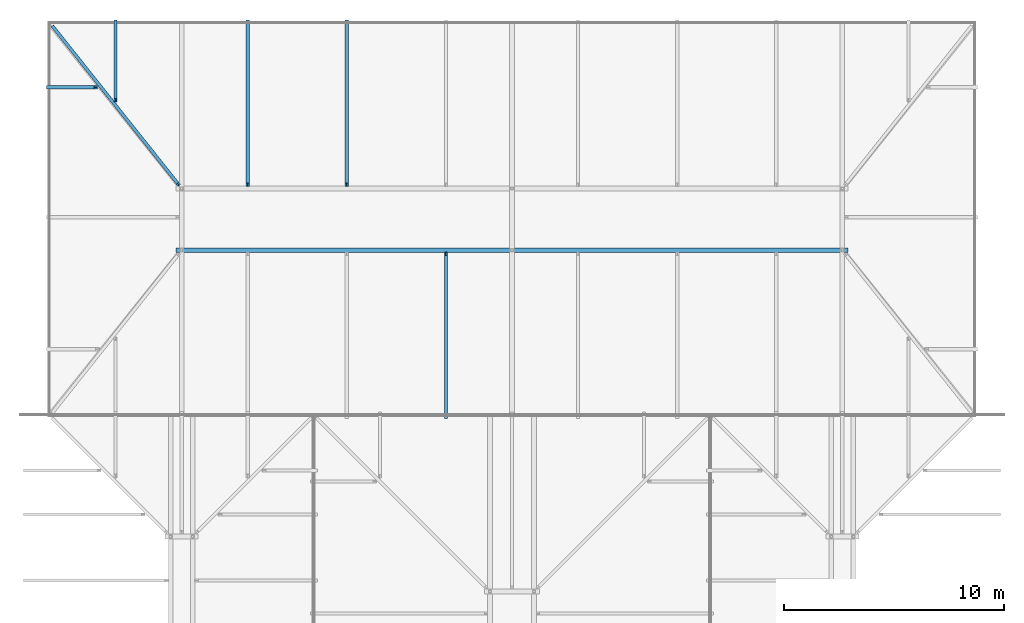
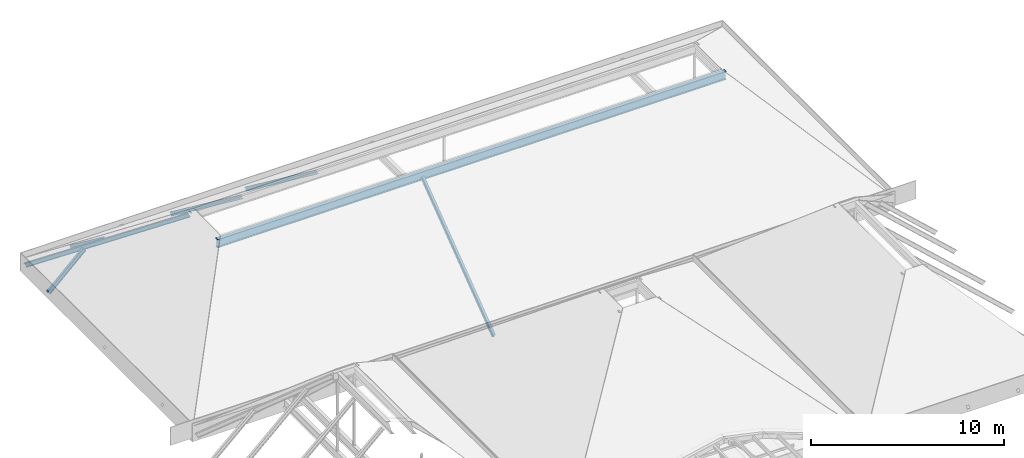
# One storey, part 27 of 57: 6 members, 1 beam.
"""IFC4 building model written with IfcOpenShell, lengths in metres."""

from ifc_helpers import new_model, si_unit, direction, frame, origin, origin_2d, place, context, subcontext, project, spatial, i_section, extrude, material, material_profile, profile_set, type_object, element, save


model = new_model("IFC4")

# Units and contexts
model_context = context("Model", 3, precision=1e-05, world=origin(), true_north=direction((0.0, 1.0)))
body_context = subcontext(model_context, "Body", "Model", "MODEL_VIEW")
ifc_project = project(units=[si_unit("LENGTHUNIT", "METRE"), si_unit("AREAUNIT", "SQUARE_METRE"), si_unit("VOLUMEUNIT", "CUBIC_METRE"), si_unit("PLANEANGLEUNIT", "RADIAN"), si_unit("MASSUNIT", "GRAM", prefix="KILO")], contexts=[model_context])

# Site, building, storey
site_placement = place(None, origin())
site = spatial("IfcSite", under=ifc_project, at=site_placement, CompositionType="ELEMENT")
building_placement = place(site_placement, origin())
building = spatial("IfcBuilding", under=site, at=building_placement, Name="Saffron Lane Theatres", CompositionType="ELEMENT")
storey_placement = place(building_placement, frame((0.0, 0.0, 28.0)))
storey = spatial("IfcBuildingStorey", under=building, at=storey_placement, Name="Upper Roof", CompositionType="ELEMENT", Elevation=28.0)

# Beam
ifc_material_1 = material(Name="Steel Grade 350", Category="steel")
ifc_material_profile_1 = material_profile(ifc_material_1, i_section(OverallWidth=0.208984375, OverallDepth=0.532958984375, WebThickness=0.01025390625, FlangeThickness=0.015625, FilletRadius=0.013916015625, at=origin_2d()))
ifc_profile_set_1 = profile_set([ifc_material_profile_1], Name="Steel Grade 350")
beam_type = type_object("IfcBeamType", Name="ST-CROWN GIRDER 530UB92.4", PredefinedType="BEAM", material=ifc_profile_set_1)
beam_placement = place(storey_placement, frame((17.75, 115.5, 5.693115234375), z_axis=(1.0, 0.0, 0.0), x_axis=(0.0, 1.0, 0.0)))
element("IfcBeam", 1, at=beam_placement, inside=storey, type_object=beam_type, Name="BK4-C1", PredefinedType="BEAM", context=body_context, shape_type="SweptSolid", body=[
    extrude(i_section(OverallWidth=0.208984375, OverallDepth=0.532958984375, WebThickness=0.01025390625, FlangeThickness=0.015625, FilletRadius=0.013916015625, at=origin_2d()), origin(), (0.0, 0.0, 1.0), 30.5),
])

# Members
ifc_material_2 = material(Name="Steel Grade 350", Category="steel")
ifc_material_profile_2 = material_profile(ifc_material_2, i_section(OverallWidth=0.14599609375, OverallDepth=0.251953125, WebThickness=0.006103515625, FlangeThickness=0.008544921875, FilletRadius=0.011962890625, at=origin_2d()))
ifc_profile_set_2 = profile_set([ifc_material_profile_2], Name="Steel Grade 350")
member_type_1 = type_object("IfcMemberType", Name="ST-HIP RAFTER 250UB31.4", PredefinedType="RAFTER", material=ifc_profile_set_2)
member_1_placement = place(storey_placement, frame((12.1630859375, 125.636962890625, 0.111083984375), z_axis=(0.532711175397, -0.66961694115, 0.517524835861), x_axis=(0.782566130455, 0.6225674674, 0.0)))
element("IfcMember", 2, at=member_1_placement, inside=storey, type_object=member_type_1, Name="BK4-H2", PredefinedType="RAFTER", context=body_context, shape_type="SweptSolid", body=[
    extrude(i_section(OverallWidth=0.14599609375, OverallDepth=0.251953125, WebThickness=0.006103515625, FlangeThickness=0.008544921875, FilletRadius=0.011962890625, at=origin_2d()), origin(), (0.0, 0.0, 1.0), 10.6748046875),
])
ifc_material_3 = material(Name="Steel Grade 350", Category="steel")
ifc_material_profile_3 = material_profile(ifc_material_3, i_section(OverallWidth=0.14599609375, OverallDepth=0.251953125, WebThickness=0.006103515625, FlangeThickness=0.008544921875, FilletRadius=0.011962890625, at=origin_2d()))
ifc_profile_set_3 = profile_set([ifc_material_profile_3], Name="Steel Grade 350")
member_type_2 = type_object("IfcMemberType", Name="ST-JACK RAFTER 250UB31.4", PredefinedType="RAFTER", material=ifc_profile_set_3)
member_2_placement = place(storey_placement, frame((15.0, 125.8759765625, 0.1005859375), z_axis=(0.0, -0.798269573299, 0.602300330687), x_axis=(1.0, 0.0, 0.0)))
element("IfcMember", 3, at=member_2_placement, inside=storey, type_object=member_type_2, Name="BK4-K2", PredefinedType="RAFTER", context=body_context, shape_type="SweptSolid", body=[
    extrude(i_section(OverallWidth=0.14599609375, OverallDepth=0.251953125, WebThickness=0.006103515625, FlangeThickness=0.008544921875, FilletRadius=0.011962890625, at=origin_2d()), origin(), (0.0, 0.0, 1.0), 4.461181640625),
])
for number, where, z_axis, x_axis, name in (
    (4, (21.0, 125.8759765625, 0.1005859375), (0.0, -0.798250727488, 0.602325307508), (1.0, 0.0, 0.0), "BK4-K4"),
    (5, (25.5, 125.8759765625, 0.1005859375), (0.0, -0.798250727488, 0.602325307508), (1.0, 0.0, 0.0), "BK4-K6"),
    (6, (30.0, 107.924072265625, 0.1005859375), (0.0, 0.798250727488, 0.602325307508), (-1.0, 0.0, 0.0), "BK4-K7"),
):
    element("IfcMember", number, at=place(storey_placement, frame(where, z_axis=z_axis, x_axis=x_axis)), inside=storey, type_object=member_type_2, Name=name, PredefinedType="RAFTER", context=body_context, shape_type="SweptSolid", body=[
        extrude(i_section(OverallWidth=0.14599609375, OverallDepth=0.251953125, WebThickness=0.006103515625, FlangeThickness=0.008544921875, FilletRadius=0.011962890625, at=origin_2d()), origin(), (0.0, 0.0, 1.0), 9.279541015625),
    ])
member_3_placement = place(storey_placement, frame((11.958984375, 122.89990234375, 0.091552734375), z_axis=(0.727448415077, 0.0, 0.686162373933), x_axis=(0.0, 1.0, 0.0)))
element("IfcMember", 7, at=member_3_placement, inside=storey, type_object=member_type_2, Name="BK4-K21", PredefinedType="RAFTER", context=body_context, shape_type="SweptSolid", body=[
    extrude(i_section(OverallWidth=0.14599609375, OverallDepth=0.251953125, WebThickness=0.006103515625, FlangeThickness=0.008544921875, FilletRadius=0.011962890625, at=origin_2d()), origin(), (0.0, 0.0, 1.0), 2.93896484375),
])

save(model, "model.ifc")
